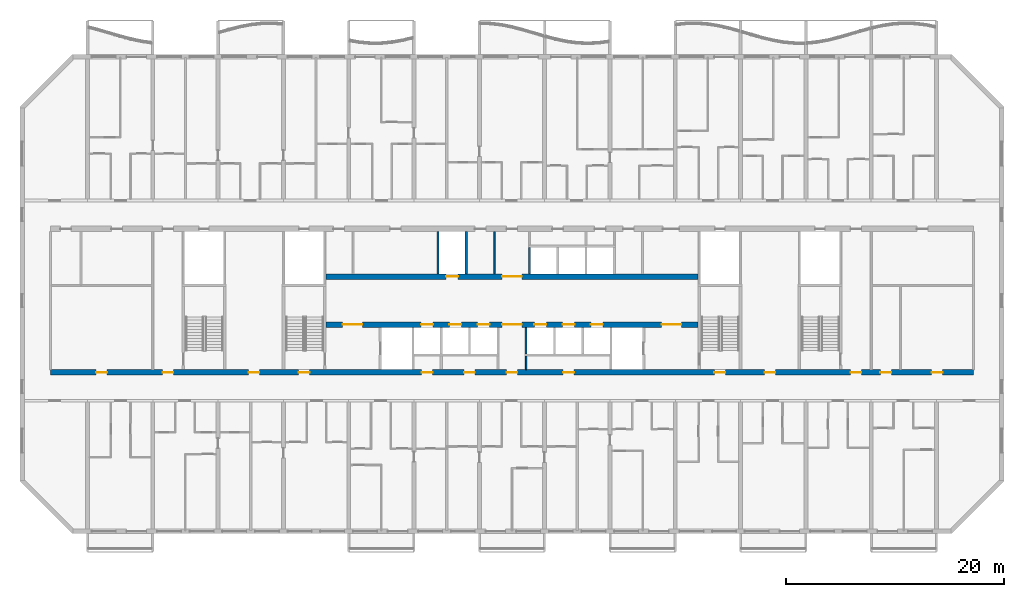
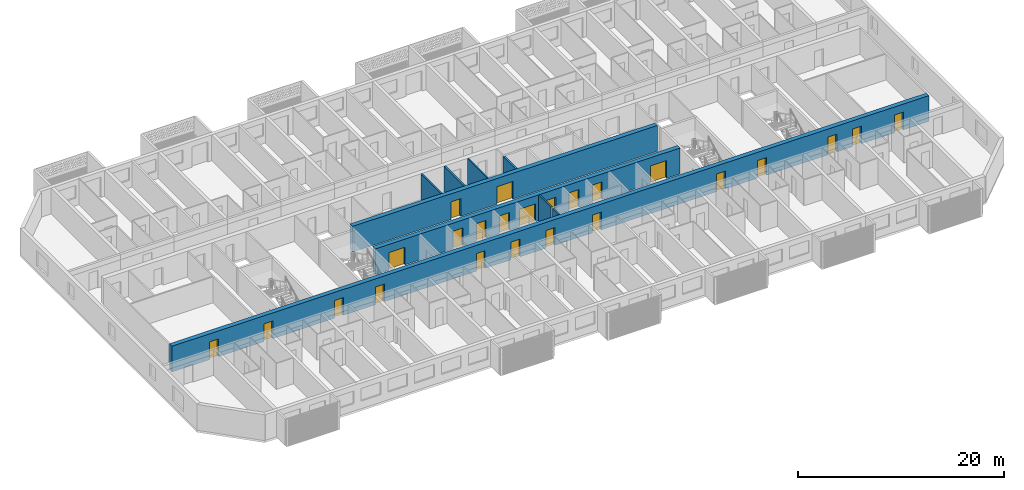
# One storey, part 7 of 30: 24 doors, 9 walls, 24 openings.
"""IFC4 building model written with IfcOpenShell, lengths in metres."""

from ifc_helpers import new_model, si_unit, direction, frame, frame_2d, origin, place, context, subcontext, project, spatial, rectangle, extrude, material, layer, layer_set, type_object, element, fill, save


model = new_model("IFC4")

# Units and contexts
model_context = context("Model", 3, precision=1e-05, world=origin(), true_north=direction((0.0, 1.0)))
body_context = subcontext(model_context, "Body", "Model", "MODEL_VIEW")
ifc_project = project(units=[si_unit("LENGTHUNIT", "METRE"), si_unit("AREAUNIT", "SQUARE_METRE"), si_unit("VOLUMEUNIT", "CUBIC_METRE"), si_unit("PLANEANGLEUNIT", "RADIAN"), si_unit("MASSUNIT", "GRAM", prefix="KILO")], contexts=[model_context])

# Site, building, storey
site_placement = place(None, origin())
site = spatial("IfcSite", under=ifc_project, at=site_placement, CompositionType="ELEMENT")
building_placement = place(site_placement, origin())
building = spatial("IfcBuilding", under=site, at=building_placement, Name="Poui Terraces", CompositionType="ELEMENT")
storey_placement = place(building_placement, frame((0.0, 0.0, 99.300048828125)))
storey = spatial("IfcBuildingStorey", under=building, at=storey_placement, Name="L27", CompositionType="ELEMENT", Elevation=99.300048828125)

# Wall, openings, doors
ifc_material_1 = material(Name="Concrete 65 MPa", Category="concrete")
ifc_layer_1 = layer(ifc_material_1, 0.5)
ifc_layer_set_1 = layer_set([ifc_layer_1], Name="Concrete 65 MPa")
wall_type_1 = type_object("IfcWallType", Name="CORE WALL 500 65 MPA", PredefinedType="SOLIDWALL", material=ifc_layer_set_1)
wall_1_placement = place(storey_placement, frame((33.925048828125, 19.0, 0.0), z_axis=(0.0, 0.0, 1.0), x_axis=(1.0, 0.0, 0.0)))
wall_1 = element("IfcWall", 1, at=wall_1_placement, inside=storey, type_object=wall_type_1, Name="CORE WALL", PredefinedType="SOLIDWALL", context=body_context, shape_type="SweptSolid", body=[
    extrude(rectangle(XDim=34.14990234375, YDim=0.5, at=frame_2d((17.074951171875, 0.0))), origin(), (0.0, 0.0, 1.0), 3.06005859375),
])
opening_1_placement = place(wall_1_placement, frame((16.175048828125, 0.0, 0.0)))
opening_1 = element("IfcOpeningElement", 2, at=opening_1_placement, cuts=wall_1, Name="Opening FDD60", PredefinedType="OPENING", context=body_context, shape_type="SweptSolid", body=[
    extrude(rectangle(XDim=1.800048828125, YDim=2.10009765625, at=frame_2d((0.89990234375, 1.050048828125))), frame((0.0, 0.260009765625, 0.0), z_axis=(0.0, -1.0, 0.0), x_axis=(1.0, 0.0, 0.0)), (0.0, 0.0, 1.0), 0.52001953125),
])
opening_2_placement = place(wall_1_placement, frame((1.52490234375, 0.0, 0.0)))
opening_2 = element("IfcOpeningElement", 3, at=opening_2_placement, cuts=wall_1, Name="Opening FDD60", PredefinedType="OPENING", context=body_context, shape_type="SweptSolid", body=[
    extrude(rectangle(XDim=1.800048828125, YDim=2.10009765625, at=frame_2d((0.89990234375, 1.050048828125))), frame((0.0, 0.260009765625, 0.0), z_axis=(0.0, -1.0, 0.0), x_axis=(1.0, 0.0, 0.0)), (0.0, 0.0, 1.0), 0.52001953125),
])
opening_3_placement = place(wall_1_placement, frame((8.72509765625, 0.0, 0.0)))
opening_3 = element("IfcOpeningElement", 4, at=opening_3_placement, cuts=wall_1, Name="Opening LD", PredefinedType="OPENING", context=body_context, shape_type="SweptSolid", body=[
    extrude(rectangle(XDim=1.10009765625, YDim=2.10009765625, at=frame_2d((0.550048828125, 1.050048828125))), frame((0.0, 0.260009765625, 0.0), z_axis=(0.0, -1.0, 0.0), x_axis=(1.0, 0.0, 0.0)), (0.0, 0.0, 1.0), 0.52001953125),
])
opening_4_placement = place(wall_1_placement, frame((11.324951171875, 0.0, 0.0)))
opening_4 = element("IfcOpeningElement", 5, at=opening_4_placement, cuts=wall_1, Name="Opening LD", PredefinedType="OPENING", context=body_context, shape_type="SweptSolid", body=[
    extrude(rectangle(XDim=1.10009765625, YDim=2.10009765625, at=frame_2d((0.550048828125, 1.050048828125))), frame((0.0, 0.260009765625, 0.0), z_axis=(0.0, -1.0, 0.0), x_axis=(1.0, 0.0, 0.0)), (0.0, 0.0, 1.0), 0.52001953125),
])
opening_5_placement = place(wall_1_placement, frame((13.925048828125, 0.0, 0.0)))
opening_5 = element("IfcOpeningElement", 6, at=opening_5_placement, cuts=wall_1, Name="Opening LD", PredefinedType="OPENING", context=body_context, shape_type="SweptSolid", body=[
    extrude(rectangle(XDim=1.10009765625, YDim=2.10009765625, at=frame_2d((0.550048828125, 1.050048828125))), frame((0.0, 0.260009765625, 0.0), z_axis=(0.0, -1.0, 0.0), x_axis=(1.0, 0.0, 0.0)), (0.0, 0.0, 1.0), 0.52001953125),
])
opening_6_placement = place(wall_1_placement, frame((19.125, 0.0, 0.0)))
opening_6 = element("IfcOpeningElement", 7, at=opening_6_placement, cuts=wall_1, Name="Opening LD", PredefinedType="OPENING", context=body_context, shape_type="SweptSolid", body=[
    extrude(rectangle(XDim=1.10009765625, YDim=2.10009765625, at=frame_2d((0.550048828125, 1.050048828125))), frame((0.0, 0.260009765625, 0.0), z_axis=(0.0, -1.0, 0.0), x_axis=(1.0, 0.0, 0.0)), (0.0, 0.0, 1.0), 0.52001953125),
])
opening_7_placement = place(wall_1_placement, frame((21.72509765625, 0.0, 0.0)))
opening_7 = element("IfcOpeningElement", 8, at=opening_7_placement, cuts=wall_1, Name="Opening LD", PredefinedType="OPENING", context=body_context, shape_type="SweptSolid", body=[
    extrude(rectangle(XDim=1.10009765625, YDim=2.10009765625, at=frame_2d((0.550048828125, 1.050048828125))), frame((0.0, 0.260009765625, 0.0), z_axis=(0.0, -1.0, 0.0), x_axis=(1.0, 0.0, 0.0)), (0.0, 0.0, 1.0), 0.52001953125),
])
opening_8_placement = place(wall_1_placement, frame((24.324951171875, 0.0, 0.0)))
opening_8 = element("IfcOpeningElement", 9, at=opening_8_placement, cuts=wall_1, Name="Opening LD", PredefinedType="OPENING", context=body_context, shape_type="SweptSolid", body=[
    extrude(rectangle(XDim=1.10009765625, YDim=2.10009765625, at=frame_2d((0.550048828125, 1.050048828125))), frame((0.0, 0.260009765625, 0.0), z_axis=(0.0, -1.0, 0.0), x_axis=(1.0, 0.0, 0.0)), (0.0, 0.0, 1.0), 0.52001953125),
])
opening_9_placement = place(wall_1_placement, frame((30.824951171875, 0.0, 0.0)))
opening_9 = element("IfcOpeningElement", 10, at=opening_9_placement, cuts=wall_1, Name="Opening FDD60", PredefinedType="OPENING", context=body_context, shape_type="SweptSolid", body=[
    extrude(rectangle(XDim=1.800048828125, YDim=2.10009765625, at=frame_2d((0.89990234375, 1.050048828125))), frame((0.0, 0.260009765625, 0.0), z_axis=(0.0, -1.0, 0.0), x_axis=(1.0, 0.0, 0.0)), (0.0, 0.0, 1.0), 0.52001953125),
])
ifc_material_2 = material(Name="Steel fire door", Category="steel")
door_type_1 = type_object("IfcDoorType", Name="DOUBLE LOBBY FIRE DOOR 1800 X 2100", OperationType="DOUBLE_DOOR_SINGLE_SWING", PredefinedType="DOOR", material=ifc_material_2)
door_1_placement = place(opening_1_placement, frame((1.800048828125, 0.0, 0.0), z_axis=(0.0, 0.0, 1.0), x_axis=(-1.0, 0.0, 0.0)))
door_1 = element("IfcDoor", 11, at=door_1_placement, inside=storey, type_object=door_type_1, Name="DOUBLE LOBBY FIRE DOOR 137", OperationType="DOUBLE_DOOR_SINGLE_SWING", OverallHeight=2.10009765625, OverallWidth=1.800048828125, PredefinedType="DOOR", context=body_context, shape_type="SweptSolid", body=[
    extrude(rectangle(XDim=1.800048828125, YDim=2.10009765625, at=frame_2d((0.89990234375, 1.050048828125))), frame((0.0, 0.02490234375, 0.0), z_axis=(0.0, -1.0, 0.0), x_axis=(1.0, 0.0, 0.0)), (0.0, 0.0, 1.0), 0.050048828125),
])
fill(opening_1, door_1)
door_2_placement = place(opening_2_placement, origin())
door_2 = element("IfcDoor", 12, at=door_2_placement, inside=storey, type_object=door_type_1, Name="DOUBLE LOBBY FIRE DOOR 138", OperationType="DOUBLE_DOOR_SINGLE_SWING", OverallHeight=2.10009765625, OverallWidth=1.800048828125, PredefinedType="DOOR", context=body_context, shape_type="SweptSolid", body=[
    extrude(rectangle(XDim=1.800048828125, YDim=2.10009765625, at=frame_2d((0.89990234375, 1.050048828125))), frame((0.0, 0.02490234375, 0.0), z_axis=(0.0, -1.0, 0.0), x_axis=(1.0, 0.0, 0.0)), (0.0, 0.0, 1.0), 0.050048828125),
])
fill(opening_2, door_2)
door_3_placement = place(opening_9_placement, origin())
door_3 = element("IfcDoor", 13, at=door_3_placement, inside=storey, type_object=door_type_1, Name="DOUBLE LOBBY FIRE DOOR 146", OperationType="DOUBLE_DOOR_SINGLE_SWING", OverallHeight=2.10009765625, OverallWidth=1.800048828125, PredefinedType="DOOR", context=body_context, shape_type="SweptSolid", body=[
    extrude(rectangle(XDim=1.800048828125, YDim=2.10009765625, at=frame_2d((0.89990234375, 1.050048828125))), frame((0.0, 0.02490234375, 0.0), z_axis=(0.0, -1.0, 0.0), x_axis=(1.0, 0.0, 0.0)), (0.0, 0.0, 1.0), 0.050048828125),
])
fill(opening_9, door_3)
ifc_material_3 = material(Name="Stainless steel sliding door", Category="steel")
door_type_2 = type_object("IfcDoorType", Name="LIFT LANDING DOOR 1100 X 2100", OperationType="DOUBLE_DOOR_SLIDING", PredefinedType="DOOR", material=ifc_material_3)
door_4_placement = place(opening_3_placement, origin())
door_4 = element("IfcDoor", 14, at=door_4_placement, inside=storey, type_object=door_type_2, Name="LANDING DOOR", OperationType="DOUBLE_DOOR_SLIDING", OverallHeight=2.10009765625, OverallWidth=1.10009765625, PredefinedType="DOOR", context=body_context, shape_type="SweptSolid", body=[
    extrude(rectangle(XDim=1.10009765625, YDim=2.10009765625, at=frame_2d((0.550048828125, 1.050048828125))), frame((0.0, 0.02490234375, 0.0), z_axis=(0.0, -1.0, 0.0), x_axis=(1.0, 0.0, 0.0)), (0.0, 0.0, 1.0), 0.050048828125),
])
fill(opening_3, door_4)
door_5_placement = place(opening_4_placement, origin())
door_5 = element("IfcDoor", 15, at=door_5_placement, inside=storey, type_object=door_type_2, Name="LANDING DOOR", OperationType="DOUBLE_DOOR_SLIDING", OverallHeight=2.10009765625, OverallWidth=1.10009765625, PredefinedType="DOOR", context=body_context, shape_type="SweptSolid", body=[
    extrude(rectangle(XDim=1.10009765625, YDim=2.10009765625, at=frame_2d((0.550048828125, 1.050048828125))), frame((0.0, 0.02490234375, 0.0), z_axis=(0.0, -1.0, 0.0), x_axis=(1.0, 0.0, 0.0)), (0.0, 0.0, 1.0), 0.050048828125),
])
fill(opening_4, door_5)
door_6_placement = place(opening_5_placement, origin())
door_6 = element("IfcDoor", 16, at=door_6_placement, inside=storey, type_object=door_type_2, Name="LANDING DOOR", OperationType="DOUBLE_DOOR_SLIDING", OverallHeight=2.10009765625, OverallWidth=1.10009765625, PredefinedType="DOOR", context=body_context, shape_type="SweptSolid", body=[
    extrude(rectangle(XDim=1.10009765625, YDim=2.10009765625, at=frame_2d((0.550048828125, 1.050048828125))), frame((0.0, 0.02490234375, 0.0), z_axis=(0.0, -1.0, 0.0), x_axis=(1.0, 0.0, 0.0)), (0.0, 0.0, 1.0), 0.050048828125),
])
fill(opening_5, door_6)
door_7_placement = place(opening_6_placement, origin())
door_7 = element("IfcDoor", 17, at=door_7_placement, inside=storey, type_object=door_type_2, Name="LANDING DOOR", OperationType="DOUBLE_DOOR_SLIDING", OverallHeight=2.10009765625, OverallWidth=1.10009765625, PredefinedType="DOOR", context=body_context, shape_type="SweptSolid", body=[
    extrude(rectangle(XDim=1.10009765625, YDim=2.10009765625, at=frame_2d((0.550048828125, 1.050048828125))), frame((0.0, 0.02490234375, 0.0), z_axis=(0.0, -1.0, 0.0), x_axis=(1.0, 0.0, 0.0)), (0.0, 0.0, 1.0), 0.050048828125),
])
fill(opening_6, door_7)
door_8_placement = place(opening_7_placement, origin())
door_8 = element("IfcDoor", 18, at=door_8_placement, inside=storey, type_object=door_type_2, Name="LANDING DOOR", OperationType="DOUBLE_DOOR_SLIDING", OverallHeight=2.10009765625, OverallWidth=1.10009765625, PredefinedType="DOOR", context=body_context, shape_type="SweptSolid", body=[
    extrude(rectangle(XDim=1.10009765625, YDim=2.10009765625, at=frame_2d((0.550048828125, 1.050048828125))), frame((0.0, 0.02490234375, 0.0), z_axis=(0.0, -1.0, 0.0), x_axis=(1.0, 0.0, 0.0)), (0.0, 0.0, 1.0), 0.050048828125),
])
fill(opening_7, door_8)
door_9_placement = place(opening_8_placement, origin())
door_9 = element("IfcDoor", 19, at=door_9_placement, inside=storey, type_object=door_type_2, Name="LANDING DOOR", OperationType="DOUBLE_DOOR_SLIDING", OverallHeight=2.10009765625, OverallWidth=1.10009765625, PredefinedType="DOOR", context=body_context, shape_type="SweptSolid", body=[
    extrude(rectangle(XDim=1.10009765625, YDim=2.10009765625, at=frame_2d((0.550048828125, 1.050048828125))), frame((0.0, 0.02490234375, 0.0), z_axis=(0.0, -1.0, 0.0), x_axis=(1.0, 0.0, 0.0)), (0.0, 0.0, 1.0), 0.050048828125),
])
fill(opening_8, door_9)

wall_2_placement = place(storey_placement, frame((33.925048828125, 23.39990234375, 0.0), z_axis=(0.0, 0.0, 1.0), x_axis=(1.0, 0.0, 0.0)))
wall_2 = element("IfcWall", 20, at=wall_2_placement, inside=storey, type_object=wall_type_1, Name="CORE WALL", PredefinedType="SOLIDWALL", context=body_context, shape_type="SweptSolid", body=[
    extrude(rectangle(XDim=34.14990234375, YDim=0.5, at=frame_2d((17.074951171875, 0.0))), origin(), (0.0, 0.0, 1.0), 3.06005859375),
])
opening_10_placement = place(wall_2_placement, frame((16.175048828125, 0.0, 0.0)))
opening_10 = element("IfcOpeningElement", 21, at=opening_10_placement, cuts=wall_2, Name="Opening FDD60", PredefinedType="OPENING", context=body_context, shape_type="SweptSolid", body=[
    extrude(rectangle(XDim=1.800048828125, YDim=2.10009765625, at=frame_2d((0.89990234375, 1.050048828125))), frame((0.0, 0.260009765625, 0.0), z_axis=(0.0, -1.0, 0.0), x_axis=(1.0, 0.0, 0.0)), (0.0, 0.0, 1.0), 0.52001953125),
])
opening_11_placement = place(wall_2_placement, frame((11.02490234375, 0.0, 0.0)))
opening_11 = element("IfcOpeningElement", 22, at=opening_11_placement, cuts=wall_2, Name="Opening LD", PredefinedType="OPENING", context=body_context, shape_type="SweptSolid", body=[
    extrude(rectangle(XDim=1.10009765625, YDim=2.10009765625, at=frame_2d((0.550048828125, 1.050048828125))), frame((0.0, 0.260009765625, 0.0), z_axis=(0.0, -1.0, 0.0), x_axis=(1.0, 0.0, 0.0)), (0.0, 0.0, 1.0), 0.52001953125),
])
door_10_placement = place(opening_10_placement, origin())
door_10 = element("IfcDoor", 23, at=door_10_placement, inside=storey, type_object=door_type_1, Name="DOUBLE LOBBY FIRE DOOR 136", OperationType="DOUBLE_DOOR_SINGLE_SWING", OverallHeight=2.10009765625, OverallWidth=1.800048828125, PredefinedType="DOOR", context=body_context, shape_type="SweptSolid", body=[
    extrude(rectangle(XDim=1.800048828125, YDim=2.10009765625, at=frame_2d((0.89990234375, 1.050048828125))), frame((0.0, 0.02490234375, 0.0), z_axis=(0.0, -1.0, 0.0), x_axis=(1.0, 0.0, 0.0)), (0.0, 0.0, 1.0), 0.050048828125),
])
fill(opening_10, door_10)
door_11_placement = place(opening_11_placement, origin())
door_11 = element("IfcDoor", 24, at=door_11_placement, inside=storey, type_object=door_type_2, Name="LANDING DOOR", OperationType="DOUBLE_DOOR_SLIDING", OverallHeight=2.10009765625, OverallWidth=1.10009765625, PredefinedType="DOOR", context=body_context, shape_type="SweptSolid", body=[
    extrude(rectangle(XDim=1.10009765625, YDim=2.10009765625, at=frame_2d((0.550048828125, 1.050048828125))), frame((0.0, 0.02490234375, 0.0), z_axis=(0.0, -1.0, 0.0), x_axis=(1.0, 0.0, 0.0)), (0.0, 0.0, 1.0), 0.050048828125),
])
fill(opening_11, door_11)

# Walls
ifc_material_4 = material(Name="Fire-rated plasterboard wall")
ifc_layer_2 = layer(ifc_material_4, 0.14990234375)
ifc_layer_set_2 = layer_set([ifc_layer_2], Name="Fire-rated plasterboard wall")
wall_type_2 = type_object("IfcWallType", Name="CORRIDOR WALL 150", PredefinedType="PARTITIONING", material=ifc_layer_set_2)
wall_3_placement = place(storey_placement, frame((49.39990234375, 23.659912109375, 0.0), z_axis=(0.0, 0.0, 1.0), x_axis=(0.0, 1.0, 0.0)))
element("IfcWall", 25, at=wall_3_placement, inside=storey, type_object=wall_type_2, Name="CORRIDOR WALL 150", PredefinedType="PARTITIONING", context=body_context, shape_type="SweptSolid", body=[
    extrude(rectangle(XDim=3.880126953125, YDim=0.14990234375, at=frame_2d((1.93994140625, 0.0))), origin(), (0.0, 0.0, 1.0), 3.06005859375),
])
wall_4_placement = place(storey_placement, frame((52.300048828125, 14.860107421875, 0.0), z_axis=(0.0, 0.0, 1.0), x_axis=(0.0, 1.0, 0.0)))
element("IfcWall", 26, at=wall_4_placement, inside=storey, type_object=wall_type_2, Name="CORRIDOR WALL 150", PredefinedType="PARTITIONING", context=body_context, shape_type="SweptSolid", body=[
    extrude(rectangle(XDim=1.239990234375, YDim=0.14990234375, at=frame_2d((0.6201171875, 0.0))), origin(), (0.0, 0.0, 1.0), 3.06005859375),
])
ifc_material_5 = material(Name="Fire-rated masonry shaft wall", Category="masonry")
ifc_layer_3 = layer(ifc_material_5, 0.199951171875)
ifc_layer_set_3 = layer_set([ifc_layer_3], Name="Fire-rated masonry shaft wall")
wall_type_3 = type_object("IfcWallType", Name="SHAFT WALL 200", PredefinedType="PARTITIONING", material=ifc_layer_set_3)
for number, where, z_axis, x_axis, name in (
    (27, (44.199951171875, 23.659912109375, 0.0), (0.0, 0.0, 1.0), (0.0, 1.0, 0.0), "SHAFT WALL 200"),
    (28, (46.800048828125, 23.659912109375, 0.0), (0.0, 0.0, 1.0), (0.0, 1.0, 0.0), "SHAFT WALL 200"),
):
    element("IfcWall", number, at=place(storey_placement, frame(where, z_axis=z_axis, x_axis=x_axis)), inside=storey, type_object=wall_type_3, Name=name, PredefinedType="PARTITIONING", context=body_context, shape_type="SweptSolid", body=[
        extrude(rectangle(XDim=3.880126953125, YDim=0.199951171875, at=frame_2d((1.93994140625, 0.0))), origin(), (0.0, 0.0, 1.0), 3.06005859375),
    ])
wall_5_placement = place(storey_placement, frame((52.300048828125, 16.300048828125, 0.0), z_axis=(0.0, 0.0, 1.0), x_axis=(0.0, 1.0, 0.0)))
element("IfcWall", 29, at=wall_5_placement, inside=storey, type_object=wall_type_3, Name="SHAFT WALL 200", PredefinedType="PARTITIONING", context=body_context, shape_type="SweptSolid", body=[
    extrude(rectangle(XDim=2.43994140625, YDim=0.199951171875, at=frame_2d((1.219970703125, 0.0))), origin(), (0.0, 0.0, 1.0), 3.06005859375),
])
wall_6_placement = place(storey_placement, frame((52.60009765625, 23.659912109375, 0.0), z_axis=(0.0, 0.0, 1.0), x_axis=(0.0, 1.0, 0.0)))
element("IfcWall", 30, at=wall_6_placement, inside=storey, type_object=wall_type_3, Name="SHAFT WALL 200", PredefinedType="PARTITIONING", context=body_context, shape_type="SweptSolid", body=[
    extrude(rectangle(XDim=2.440185546875, YDim=0.199951171875, at=frame_2d((1.22021484375, 0.0))), origin(), (0.0, 0.0, 1.0), 3.06005859375),
])

# Wall, openings, doors
ifc_layer_4 = layer(ifc_material_1, 0.5)
ifc_layer_set_4 = layer_set([ifc_layer_4], Name="Concrete 65 MPa")
wall_type_4 = type_object("IfcWallType", Name="SPINE WALL 500 65 MPA", PredefinedType="SOLIDWALL", material=ifc_layer_set_4)
wall_7_placement = place(storey_placement, frame((8.60009765625, 14.60009765625, 0.0), z_axis=(0.0, 0.0, 1.0), x_axis=(1.0, 0.0, 0.0)))
wall_7 = element("IfcWall", 31, at=wall_7_placement, inside=storey, type_object=wall_type_4, Name="SPINE WALL", PredefinedType="SOLIDWALL", context=body_context, shape_type="SweptSolid", body=[
    extrude(rectangle(XDim=84.7998046875, YDim=0.5, at=frame_2d((42.39990234375, 0.0))), origin(), (0.0, 0.0, 1.0), 3.06005859375),
])
opening_12_placement = place(wall_7_placement, frame((4.199951171875, 0.0, 0.0)))
opening_12 = element("IfcOpeningElement", 32, at=opening_12_placement, cuts=wall_7, Name="Opening FD60", PredefinedType="OPENING", context=body_context, shape_type="SweptSolid", body=[
    extrude(rectangle(XDim=1.0, YDim=2.10009765625, at=frame_2d((0.5, 1.050048828125))), frame((0.0, 0.260009765625, 0.0), z_axis=(0.0, -1.0, 0.0), x_axis=(1.0, 0.0, 0.0)), (0.0, 0.0, 1.0), 0.52001953125),
])
opening_13_placement = place(wall_7_placement, frame((10.300048828125, 0.0, 0.0)))
opening_13 = element("IfcOpeningElement", 33, at=opening_13_placement, cuts=wall_7, Name="Opening FDL", PredefinedType="OPENING", context=body_context, shape_type="SweptSolid", body=[
    extrude(rectangle(XDim=1.0, YDim=2.10009765625, at=frame_2d((0.5, 1.050048828125))), frame((0.0, 0.260009765625, 0.0), z_axis=(0.0, -1.0, 0.0), x_axis=(1.0, 0.0, 0.0)), (0.0, 0.0, 1.0), 0.52001953125),
])
opening_14_placement = place(wall_7_placement, frame((18.199951171875, 0.0, 0.0)))
opening_14 = element("IfcOpeningElement", 34, at=opening_14_placement, cuts=wall_7, Name="Opening D100", PredefinedType="OPENING", context=body_context, shape_type="SweptSolid", body=[
    extrude(rectangle(XDim=1.0, YDim=2.10009765625, at=frame_2d((0.5, 1.050048828125))), frame((0.0, 0.260009765625, 0.0), z_axis=(0.0, -1.0, 0.0), x_axis=(1.0, 0.0, 0.0)), (0.0, 0.0, 1.0), 0.52001953125),
])
opening_15_placement = place(wall_7_placement, frame((22.800048828125, 0.0, 0.0)))
opening_15 = element("IfcOpeningElement", 35, at=opening_15_placement, cuts=wall_7, Name="Opening FD60S", PredefinedType="OPENING", context=body_context, shape_type="SweptSolid", body=[
    extrude(rectangle(XDim=1.0, YDim=2.10009765625, at=frame_2d((0.5, 1.050048828125))), frame((0.0, 0.260009765625, 0.0), z_axis=(0.0, -1.0, 0.0), x_axis=(1.0, 0.0, 0.0)), (0.0, 0.0, 1.0), 0.52001953125),
])
opening_16_placement = place(wall_7_placement, frame((34.10009765625, 0.0, 0.0)))
opening_16 = element("IfcOpeningElement", 36, at=opening_16_placement, cuts=wall_7, Name="Opening FD60", PredefinedType="OPENING", context=body_context, shape_type="SweptSolid", body=[
    extrude(rectangle(XDim=1.0, YDim=2.10009765625, at=frame_2d((0.5, 1.050048828125))), frame((0.0, 0.260009765625, 0.0), z_axis=(0.0, -1.0, 0.0), x_axis=(1.0, 0.0, 0.0)), (0.0, 0.0, 1.0), 0.52001953125),
])
opening_17_placement = place(wall_7_placement, frame((38.0, 0.0, 0.0)))
opening_17 = element("IfcOpeningElement", 37, at=opening_17_placement, cuts=wall_7, Name="Opening FD60", PredefinedType="OPENING", context=body_context, shape_type="SweptSolid", body=[
    extrude(rectangle(XDim=1.0, YDim=2.10009765625, at=frame_2d((0.5, 1.050048828125))), frame((0.0, 0.260009765625, 0.0), z_axis=(0.0, -1.0, 0.0), x_axis=(1.0, 0.0, 0.0)), (0.0, 0.0, 1.0), 0.52001953125),
])
opening_18_placement = place(wall_7_placement, frame((41.89990234375, 0.0, 0.0)))
opening_18 = element("IfcOpeningElement", 38, at=opening_18_placement, cuts=wall_7, Name="Opening FDL", PredefinedType="OPENING", context=body_context, shape_type="SweptSolid", body=[
    extrude(rectangle(XDim=1.0, YDim=2.10009765625, at=frame_2d((0.5, 1.050048828125))), frame((0.0, 0.260009765625, 0.0), z_axis=(0.0, -1.0, 0.0), x_axis=(1.0, 0.0, 0.0)), (0.0, 0.0, 1.0), 0.52001953125),
])
opening_19_placement = place(wall_7_placement, frame((47.10009765625, 0.0, 0.0)))
opening_19 = element("IfcOpeningElement", 39, at=opening_19_placement, cuts=wall_7, Name="Opening FD60", PredefinedType="OPENING", context=body_context, shape_type="SweptSolid", body=[
    extrude(rectangle(XDim=1.0, YDim=2.10009765625, at=frame_2d((0.5, 1.050048828125))), frame((0.0, 0.260009765625, 0.0), z_axis=(0.0, -1.0, 0.0), x_axis=(1.0, 0.0, 0.0)), (0.0, 0.0, 1.0), 0.52001953125),
])
opening_20_placement = place(wall_7_placement, frame((61.0, 0.0, 0.0)))
opening_20 = element("IfcOpeningElement", 40, at=opening_20_placement, cuts=wall_7, Name="Opening FD60S", PredefinedType="OPENING", context=body_context, shape_type="SweptSolid", body=[
    extrude(rectangle(XDim=1.0, YDim=2.10009765625, at=frame_2d((0.5, 1.050048828125))), frame((0.0, 0.260009765625, 0.0), z_axis=(0.0, -1.0, 0.0), x_axis=(1.0, 0.0, 0.0)), (0.0, 0.0, 1.0), 0.52001953125),
])
opening_21_placement = place(wall_7_placement, frame((65.60009765625, 0.0, 0.0)))
opening_21 = element("IfcOpeningElement", 41, at=opening_21_placement, cuts=wall_7, Name="Opening D100", PredefinedType="OPENING", context=body_context, shape_type="SweptSolid", body=[
    extrude(rectangle(XDim=1.0, YDim=2.10009765625, at=frame_2d((0.5, 1.050048828125))), frame((0.0, 0.260009765625, 0.0), z_axis=(0.0, -1.0, 0.0), x_axis=(1.0, 0.0, 0.0)), (0.0, 0.0, 1.0), 0.52001953125),
])
opening_22_placement = place(wall_7_placement, frame((73.5, 0.0, 0.0)))
opening_22 = element("IfcOpeningElement", 42, at=opening_22_placement, cuts=wall_7, Name="Opening FDL", PredefinedType="OPENING", context=body_context, shape_type="SweptSolid", body=[
    extrude(rectangle(XDim=1.0, YDim=2.10009765625, at=frame_2d((0.5, 1.050048828125))), frame((0.0, 0.260009765625, 0.0), z_axis=(0.0, -1.0, 0.0), x_axis=(1.0, 0.0, 0.0)), (0.0, 0.0, 1.0), 0.52001953125),
])
opening_23_placement = place(wall_7_placement, frame((76.25, 0.0, 0.0)))
opening_23 = element("IfcOpeningElement", 43, at=opening_23_placement, cuts=wall_7, Name="Opening FD60", PredefinedType="OPENING", context=body_context, shape_type="SweptSolid", body=[
    extrude(rectangle(XDim=1.0, YDim=2.10009765625, at=frame_2d((0.5, 1.050048828125))), frame((0.0, 0.260009765625, 0.0), z_axis=(0.0, -1.0, 0.0), x_axis=(1.0, 0.0, 0.0)), (0.0, 0.0, 1.0), 0.52001953125),
])
opening_24_placement = place(wall_7_placement, frame((80.949951171875, 0.0, 0.0)))
opening_24 = element("IfcOpeningElement", 44, at=opening_24_placement, cuts=wall_7, Name="Opening FD60", PredefinedType="OPENING", context=body_context, shape_type="SweptSolid", body=[
    extrude(rectangle(XDim=1.0, YDim=2.10009765625, at=frame_2d((0.5, 1.050048828125))), frame((0.0, 0.260009765625, 0.0), z_axis=(0.0, -1.0, 0.0), x_axis=(1.0, 0.0, 0.0)), (0.0, 0.0, 1.0), 0.52001953125),
])
ifc_material_6 = material(Name="Solid core timber door", Category="wood")
door_type_3 = type_object("IfcDoorType", Name="ACCESSIBLE INTERNAL DOOR 1000 X 2100", OperationType="NOTDEFINED", PredefinedType="DOOR", material=ifc_material_6)
door_12_placement = place(opening_14_placement, frame((1.0, 0.0, 0.0), z_axis=(0.0, 0.0, 1.0), x_axis=(-1.0, 0.0, 0.0)))
door_12 = element("IfcDoor", 45, at=door_12_placement, inside=storey, type_object=door_type_3, Name="ACCESSIBLE INTERNAL DOOR 020", OperationType="SINGLE_SWING_LEFT", OverallHeight=2.10009765625, OverallWidth=1.0, PredefinedType="DOOR", context=body_context, shape_type="SweptSolid", body=[
    extrude(rectangle(XDim=1.0, YDim=2.10009765625, at=frame_2d((0.5, 1.050048828125))), frame((0.0, 0.02490234375, 0.0), z_axis=(0.0, -1.0, 0.0), x_axis=(1.0, 0.0, 0.0)), (0.0, 0.0, 1.0), 0.050048828125),
])
fill(opening_14, door_12)
door_13_placement = place(opening_21_placement, frame((1.0, 0.0, 0.0), z_axis=(0.0, 0.0, 1.0), x_axis=(-1.0, 0.0, 0.0)))
door_13 = element("IfcDoor", 46, at=door_13_placement, inside=storey, type_object=door_type_3, Name="ACCESSIBLE INTERNAL DOOR 027", OperationType="SINGLE_SWING_RIGHT", OverallHeight=2.10009765625, OverallWidth=1.0, PredefinedType="DOOR", context=body_context, shape_type="SweptSolid", body=[
    extrude(rectangle(XDim=1.0, YDim=2.10009765625, at=frame_2d((0.5, 1.050048828125))), frame((0.0, 0.02490234375, 0.0), z_axis=(0.0, -1.0, 0.0), x_axis=(1.0, 0.0, 0.0)), (0.0, 0.0, 1.0), 0.050048828125),
])
fill(opening_21, door_13)
door_type_4 = type_object("IfcDoorType", Name="LOBBY FIRE DOOR 1000 X 2100", OperationType="NOTDEFINED", PredefinedType="DOOR", material=ifc_material_2)
door_14_placement = place(opening_13_placement, frame((1.0, 0.0, 0.0), z_axis=(0.0, 0.0, 1.0), x_axis=(-1.0, 0.0, 0.0)))
door_14 = element("IfcDoor", 47, at=door_14_placement, inside=storey, type_object=door_type_4, Name="LOBBY FIRE DOOR 019", OperationType="SINGLE_SWING_RIGHT", OverallHeight=2.10009765625, OverallWidth=1.0, PredefinedType="DOOR", context=body_context, shape_type="SweptSolid", body=[
    extrude(rectangle(XDim=1.0, YDim=2.10009765625, at=frame_2d((0.5, 1.050048828125))), frame((0.0, 0.02490234375, 0.0), z_axis=(0.0, -1.0, 0.0), x_axis=(1.0, 0.0, 0.0)), (0.0, 0.0, 1.0), 0.050048828125),
])
fill(opening_13, door_14)
door_15_placement = place(opening_18_placement, frame((1.0, 0.0, 0.0), z_axis=(0.0, 0.0, 1.0), x_axis=(-1.0, 0.0, 0.0)))
door_15 = element("IfcDoor", 48, at=door_15_placement, inside=storey, type_object=door_type_4, Name="LOBBY FIRE DOOR 024", OperationType="SINGLE_SWING_LEFT", OverallHeight=2.10009765625, OverallWidth=1.0, PredefinedType="DOOR", context=body_context, shape_type="SweptSolid", body=[
    extrude(rectangle(XDim=1.0, YDim=2.10009765625, at=frame_2d((0.5, 1.050048828125))), frame((0.0, 0.02490234375, 0.0), z_axis=(0.0, -1.0, 0.0), x_axis=(1.0, 0.0, 0.0)), (0.0, 0.0, 1.0), 0.050048828125),
])
fill(opening_18, door_15)
door_16_placement = place(opening_22_placement, frame((1.0, 0.0, 0.0), z_axis=(0.0, 0.0, 1.0), x_axis=(-1.0, 0.0, 0.0)))
door_16 = element("IfcDoor", 49, at=door_16_placement, inside=storey, type_object=door_type_4, Name="LOBBY FIRE DOOR 028", OperationType="SINGLE_SWING_LEFT", OverallHeight=2.10009765625, OverallWidth=1.0, PredefinedType="DOOR", context=body_context, shape_type="SweptSolid", body=[
    extrude(rectangle(XDim=1.0, YDim=2.10009765625, at=frame_2d((0.5, 1.050048828125))), frame((0.0, 0.02490234375, 0.0), z_axis=(0.0, -1.0, 0.0), x_axis=(1.0, 0.0, 0.0)), (0.0, 0.0, 1.0), 0.050048828125),
])
fill(opening_22, door_16)
door_type_5 = type_object("IfcDoorType", Name="SERVICE ROOM FIRE DOOR 1000 X 2100", OperationType="NOTDEFINED", PredefinedType="DOOR", material=ifc_material_2)
door_17_placement = place(opening_12_placement, frame((1.0, 0.0, 0.0), z_axis=(0.0, 0.0, 1.0), x_axis=(-1.0, 0.0, 0.0)))
door_17 = element("IfcDoor", 50, at=door_17_placement, inside=storey, type_object=door_type_5, Name="SERVICE ROOM FIRE DOOR 018", OperationType="SINGLE_SWING_LEFT", OverallHeight=2.10009765625, OverallWidth=1.0, PredefinedType="DOOR", context=body_context, shape_type="SweptSolid", body=[
    extrude(rectangle(XDim=1.0, YDim=2.10009765625, at=frame_2d((0.5, 1.050048828125))), frame((0.0, 0.02490234375, 0.0), z_axis=(0.0, -1.0, 0.0), x_axis=(1.0, 0.0, 0.0)), (0.0, 0.0, 1.0), 0.050048828125),
])
fill(opening_12, door_17)
door_18_placement = place(opening_16_placement, frame((1.0, 0.0, 0.0), z_axis=(0.0, 0.0, 1.0), x_axis=(-1.0, 0.0, 0.0)))
door_18 = element("IfcDoor", 51, at=door_18_placement, inside=storey, type_object=door_type_5, Name="SERVICE ROOM FIRE DOOR 022", OperationType="SINGLE_SWING_LEFT", OverallHeight=2.10009765625, OverallWidth=1.0, PredefinedType="DOOR", context=body_context, shape_type="SweptSolid", body=[
    extrude(rectangle(XDim=1.0, YDim=2.10009765625, at=frame_2d((0.5, 1.050048828125))), frame((0.0, 0.02490234375, 0.0), z_axis=(0.0, -1.0, 0.0), x_axis=(1.0, 0.0, 0.0)), (0.0, 0.0, 1.0), 0.050048828125),
])
fill(opening_16, door_18)
door_19_placement = place(opening_17_placement, frame((1.0, 0.0, 0.0), z_axis=(0.0, 0.0, 1.0), x_axis=(-1.0, 0.0, 0.0)))
door_19 = element("IfcDoor", 52, at=door_19_placement, inside=storey, type_object=door_type_5, Name="SERVICE ROOM FIRE DOOR 023", OperationType="SINGLE_SWING_RIGHT", OverallHeight=2.10009765625, OverallWidth=1.0, PredefinedType="DOOR", context=body_context, shape_type="SweptSolid", body=[
    extrude(rectangle(XDim=1.0, YDim=2.10009765625, at=frame_2d((0.5, 1.050048828125))), frame((0.0, 0.02490234375, 0.0), z_axis=(0.0, -1.0, 0.0), x_axis=(1.0, 0.0, 0.0)), (0.0, 0.0, 1.0), 0.050048828125),
])
fill(opening_17, door_19)
door_20_placement = place(opening_19_placement, frame((1.0, 0.0, 0.0), z_axis=(0.0, 0.0, 1.0), x_axis=(-1.0, 0.0, 0.0)))
door_20 = element("IfcDoor", 53, at=door_20_placement, inside=storey, type_object=door_type_5, Name="SERVICE ROOM FIRE DOOR 025", OperationType="SINGLE_SWING_LEFT", OverallHeight=2.10009765625, OverallWidth=1.0, PredefinedType="DOOR", context=body_context, shape_type="SweptSolid", body=[
    extrude(rectangle(XDim=1.0, YDim=2.10009765625, at=frame_2d((0.5, 1.050048828125))), frame((0.0, 0.02490234375, 0.0), z_axis=(0.0, -1.0, 0.0), x_axis=(1.0, 0.0, 0.0)), (0.0, 0.0, 1.0), 0.050048828125),
])
fill(opening_19, door_20)
door_21_placement = place(opening_23_placement, frame((1.0, 0.0, 0.0), z_axis=(0.0, 0.0, 1.0), x_axis=(-1.0, 0.0, 0.0)))
door_21 = element("IfcDoor", 54, at=door_21_placement, inside=storey, type_object=door_type_5, Name="SERVICE ROOM FIRE DOOR 029", OperationType="SINGLE_SWING_RIGHT", OverallHeight=2.10009765625, OverallWidth=1.0, PredefinedType="DOOR", context=body_context, shape_type="SweptSolid", body=[
    extrude(rectangle(XDim=1.0, YDim=2.10009765625, at=frame_2d((0.5, 1.050048828125))), frame((0.0, 0.02490234375, 0.0), z_axis=(0.0, -1.0, 0.0), x_axis=(1.0, 0.0, 0.0)), (0.0, 0.0, 1.0), 0.050048828125),
])
fill(opening_23, door_21)
door_22_placement = place(opening_24_placement, frame((1.0, 0.0, 0.0), z_axis=(0.0, 0.0, 1.0), x_axis=(-1.0, 0.0, 0.0)))
door_22 = element("IfcDoor", 55, at=door_22_placement, inside=storey, type_object=door_type_5, Name="SERVICE ROOM FIRE DOOR 030", OperationType="SINGLE_SWING_LEFT", OverallHeight=2.10009765625, OverallWidth=1.0, PredefinedType="DOOR", context=body_context, shape_type="SweptSolid", body=[
    extrude(rectangle(XDim=1.0, YDim=2.10009765625, at=frame_2d((0.5, 1.050048828125))), frame((0.0, 0.02490234375, 0.0), z_axis=(0.0, -1.0, 0.0), x_axis=(1.0, 0.0, 0.0)), (0.0, 0.0, 1.0), 0.050048828125),
])
fill(opening_24, door_22)
door_type_6 = type_object("IfcDoorType", Name="STAIR DOOR 1000 X 2100", OperationType="NOTDEFINED", PredefinedType="DOOR", material=ifc_material_2)
door_23_placement = place(opening_15_placement, origin())
door_23 = element("IfcDoor", 56, at=door_23_placement, inside=storey, type_object=door_type_6, Name="STAIR DOOR 021", OperationType="SINGLE_SWING_RIGHT", OverallHeight=2.10009765625, OverallWidth=1.0, PredefinedType="DOOR", context=body_context, shape_type="SweptSolid", body=[
    extrude(rectangle(XDim=1.0, YDim=2.10009765625, at=frame_2d((0.5, 1.050048828125))), frame((0.0, 0.02490234375, 0.0), z_axis=(0.0, -1.0, 0.0), x_axis=(1.0, 0.0, 0.0)), (0.0, 0.0, 1.0), 0.050048828125),
])
fill(opening_15, door_23)
door_24_placement = place(opening_20_placement, origin())
door_24 = element("IfcDoor", 57, at=door_24_placement, inside=storey, type_object=door_type_6, Name="STAIR DOOR 026", OperationType="SINGLE_SWING_RIGHT", OverallHeight=2.10009765625, OverallWidth=1.0, PredefinedType="DOOR", context=body_context, shape_type="SweptSolid", body=[
    extrude(rectangle(XDim=1.0, YDim=2.10009765625, at=frame_2d((0.5, 1.050048828125))), frame((0.0, 0.02490234375, 0.0), z_axis=(0.0, -1.0, 0.0), x_axis=(1.0, 0.0, 0.0)), (0.0, 0.0, 1.0), 0.050048828125),
])
fill(opening_20, door_24)

save(model, "model.ifc")
